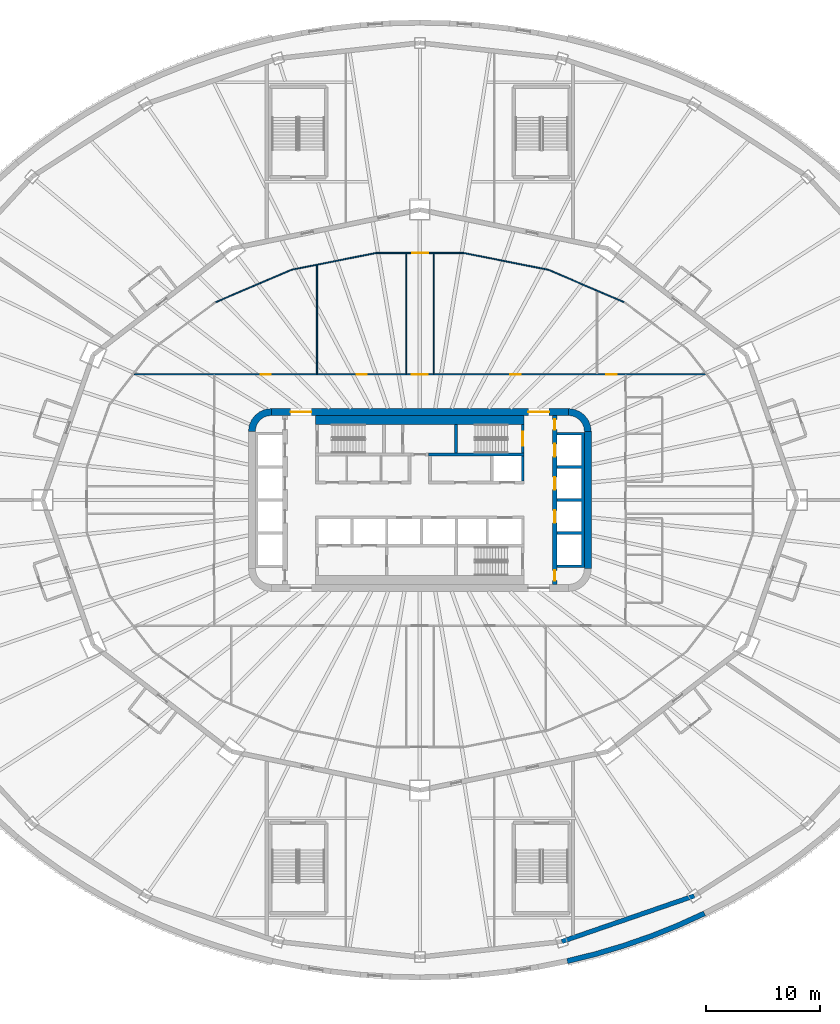
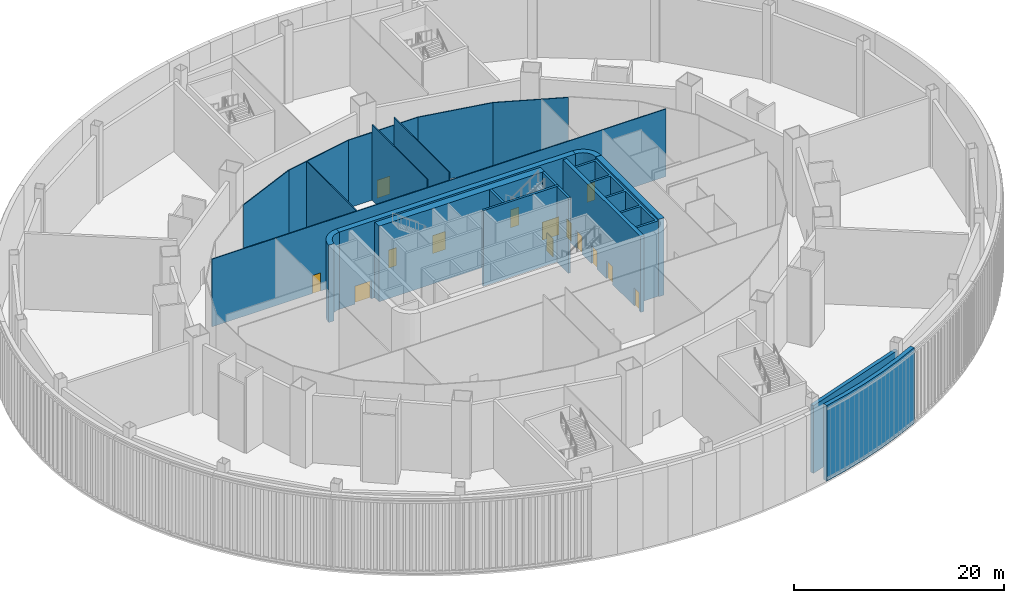
# One storey, part 10 of 35: 22 walls, 14 doors, 14 openings.
"""IFC4 building model written with IfcOpenShell, lengths in metres."""

from ifc_helpers import new_model, si_unit, direction, frame, frame_2d, origin, place, context, subcontext, project, spatial, polyline, rectangle, outline, extrude, material, layer, layer_set, type_object, element, fill, save


model = new_model("IFC4")

# Units and contexts
model_context = context("Model", 3, precision=1e-05, world=origin(), true_north=direction((0.0, 1.0)))
body_context = subcontext(model_context, "Body", "Model", "MODEL_VIEW")
ifc_project = project(units=[si_unit("LENGTHUNIT", "METRE"), si_unit("AREAUNIT", "SQUARE_METRE"), si_unit("VOLUMEUNIT", "CUBIC_METRE"), si_unit("PLANEANGLEUNIT", "RADIAN"), si_unit("MASSUNIT", "GRAM", prefix="KILO")], contexts=[model_context])

# Site, building, storey
site_placement = place(None, origin())
site = spatial("IfcSite", under=ifc_project, at=site_placement, CompositionType="ELEMENT")
building_placement = place(site_placement, origin())
building = spatial("IfcBuilding", under=site, at=building_placement, Name="Sahrelin Media Tower", CompositionType="ELEMENT")
storey_placement = place(building_placement, frame((0.0, 0.0, 17.0)))
storey = spatial("IfcBuildingStorey", under=building, at=storey_placement, Name="L02", CompositionType="ELEMENT", Elevation=17.0)

# Wall, openings, doors
ifc_material_1 = material(Name="Concrete C60/75", Category="concrete")
ifc_layer_1 = layer(ifc_material_1, 0.60009765625)
ifc_layer_set_1 = layer_set([ifc_layer_1], Name="Core wall 600")
wall_type_1 = type_object("IfcWallType", Name="Core wall 600", PredefinedType="SHEAR", material=ifc_layer_set_1)
wall_1_placement = place(storey_placement, frame((-13.0, 7.699951171875, 0.0), z_axis=(0.0, 0.0, 1.0), x_axis=(1.0, 0.0, 0.0)))
wall_1 = element("IfcWall", 1, at=wall_1_placement, inside=storey, type_object=wall_type_1, Name="Core wall N L02", PredefinedType="SHEAR", context=body_context, shape_type="SweptSolid", body=[
    extrude(rectangle(XDim=26.0, YDim=0.60009765625, at=frame_2d((13.0, 0.0))), origin(), (0.0, 0.0, 1.0), 9.0),
])
opening_1_placement = place(wall_1_placement, frame((1.699951171875, 0.0, 0.0)))
opening_1 = element("IfcOpeningElement", 2, at=opening_1_placement, cuts=wall_1, Name="Opening L02-D16", PredefinedType="OPENING", context=body_context, shape_type="SweptSolid", body=[
    extrude(rectangle(XDim=1.800048828125, YDim=2.10009765625, at=frame_2d((0.89990234375, 1.050048828125))), frame((0.0, 0.300048828125, 0.0), z_axis=(0.0, -1.0, 0.0), x_axis=(1.0, 0.0, 0.0)), (0.0, 0.0, 1.0), 0.60009765625),
])
opening_2_placement = place(wall_1_placement, frame((22.5, 0.0, 0.0)))
opening_2 = element("IfcOpeningElement", 3, at=opening_2_placement, cuts=wall_1, Name="Opening L02-D17", PredefinedType="OPENING", context=body_context, shape_type="SweptSolid", body=[
    extrude(rectangle(XDim=1.800048828125, YDim=2.10009765625, at=frame_2d((0.89990234375, 1.050048828125))), frame((0.0, 0.300048828125, 0.0), z_axis=(0.0, -1.0, 0.0), x_axis=(1.0, 0.0, 0.0)), (0.0, 0.0, 1.0), 0.60009765625),
])
ifc_material_2 = material(Name="Steel fire door leaf", Category="steel")
door_type_1 = type_object("IfcDoorType", Name="Lobby double door 1800 x 2100 EI 60", OperationType="DOUBLE_DOOR_SINGLE_SWING", PredefinedType="DOOR", material=ifc_material_2)
door_1_placement = place(opening_1_placement, origin())
door_1 = element("IfcDoor", 4, at=door_1_placement, inside=storey, type_object=door_type_1, Name="Lobby door", OperationType="DOUBLE_DOOR_SINGLE_SWING", OverallHeight=2.10009765625, OverallWidth=1.800048828125, PredefinedType="DOOR", context=body_context, shape_type="SweptSolid", body=[
    extrude(rectangle(XDim=1.800048828125, YDim=2.10009765625, at=frame_2d((0.89990234375, 1.050048828125))), frame((0.0, 0.02490234375, 0.0), z_axis=(0.0, -1.0, 0.0), x_axis=(1.0, 0.0, 0.0)), (0.0, 0.0, 1.0), 0.050048828125),
])
fill(opening_1, door_1)
door_2_placement = place(opening_2_placement, origin())
door_2 = element("IfcDoor", 5, at=door_2_placement, inside=storey, type_object=door_type_1, Name="Lobby door", OperationType="DOUBLE_DOOR_SINGLE_SWING", OverallHeight=2.10009765625, OverallWidth=1.800048828125, PredefinedType="DOOR", context=body_context, shape_type="SweptSolid", body=[
    extrude(rectangle(XDim=1.800048828125, YDim=2.10009765625, at=frame_2d((0.89990234375, 1.050048828125))), frame((0.0, 0.02490234375, 0.0), z_axis=(0.0, -1.0, 0.0), x_axis=(1.0, 0.0, 0.0)), (0.0, 0.0, 1.0), 0.050048828125),
])
fill(opening_2, door_2)

# Walls
wall_2_placement = place(storey_placement, frame((14.699951171875, -6.0, 0.0), z_axis=(0.0, 0.0, 1.0), x_axis=(0.0, 1.0, 0.0)))
element("IfcWall", 6, at=wall_2_placement, inside=storey, type_object=wall_type_1, Name="Core wall E L02", PredefinedType="SHEAR", context=body_context, shape_type="SweptSolid", body=[
    extrude(rectangle(XDim=12.0, YDim=0.60009765625, at=frame_2d((6.0, 0.0))), origin(), (0.0, 0.0, 1.0), 9.0),
])
placement = place(storey_placement, origin())
element("IfcWall", 7, at=placement, inside=storey, type_object=wall_type_1, Name="Core wall corner NE L02", PredefinedType="SHEAR", context=body_context, shape_type="SweptSolid", body=[
    extrude(outline(polyline([(13.0, 8.0), (13.0, 7.394775390625), (13.361083984375, 7.347412109375), (13.697509765625, 7.2080078125), (13.986328125, 6.986328125), (14.2080078125, 6.697509765625), (14.347412109375, 6.361083984375), (14.394775390625, 6.0), (15.0, 6.0), (14.931884765625, 6.517578125), (14.732177734375, 7.0), (14.414306640625, 7.414306640625), (14.0, 7.732177734375), (13.517578125, 7.931884765625), (13.0, 8.0)])), origin(), (0.0, 0.0, 1.0), 9.0),
])
element("IfcWall", 8, at=placement, inside=storey, type_object=wall_type_1, Name="Core wall corner NW L02", PredefinedType="SHEAR", context=body_context, shape_type="SweptSolid", body=[
    extrude(outline(polyline([(-15.0, 6.0), (-14.394775390625, 6.0), (-14.347412109375, 6.361083984375), (-14.2080078125, 6.697509765625), (-13.986328125, 6.986328125), (-13.697509765625, 7.2080078125), (-13.361083984375, 7.347412109375), (-13.0, 7.394775390625), (-13.0, 8.0), (-13.517578125, 7.931884765625), (-14.0, 7.732177734375), (-14.414306640625, 7.414306640625), (-14.732177734375, 7.0), (-14.931884765625, 6.517578125), (-15.0, 6.0)])), origin(), (0.0, 0.0, 1.0), 9.0),
])
ifc_material_3 = material(Name="Fire-rated gypsum board partition")
ifc_layer_2 = layer(ifc_material_3, 0.25)
ifc_layer_set_2 = layer_set([ifc_layer_2], Name="Fire-rated lobby wall 250")
wall_type_2 = type_object("IfcWallType", Name="Fire-rated lobby wall 250", PredefinedType="PARTITIONING", material=ifc_layer_set_2)
wall_5_placement = place(storey_placement, frame((9.0, 1.64990234375, 0.0), z_axis=(0.0, 0.0, 1.0), x_axis=(0.0, 1.0, 0.0)))
element("IfcWall", 9, at=wall_5_placement, inside=storey, type_object=wall_type_2, Name="Core lobby wall", PredefinedType="PARTITIONING", context=body_context, shape_type="SweptSolid", body=[
    extrude(rectangle(XDim=2.2001953125, YDim=0.25, at=frame_2d((1.10009765625, 0.0))), origin(), (0.0, 0.0, 1.0), 8.800048828125),
])
ifc_layer_3 = layer(ifc_material_3, 0.39990234375)
ifc_layer_set_3 = layer_set([ifc_layer_3], Name="Fire-rated partition 400")
wall_type_3 = type_object("IfcWallType", Name="Fire-rated partition 400", PredefinedType="PARTITIONING", material=ifc_layer_set_3)
wall_6_placement = place(storey_placement, frame((12.42333984375, -38.636962890625, 0.0), z_axis=(0.0, 0.0, 1.0), x_axis=(0.94527485301, 0.326275117449, 0.0)))
element("IfcWall", 10, at=wall_6_placement, inside=storey, type_object=wall_type_3, Name="Wall", PredefinedType="PARTITIONING", context=body_context, shape_type="SweptSolid", body=[
    extrude(rectangle(XDim=12.246826171875, YDim=0.39990234375, at=frame_2d((6.12353515625, 0.0))), origin(), (0.0, 0.0, 1.0), 7.876953125),
])
ifc_layer_4 = layer(ifc_material_1, 0.25)
ifc_layer_set_4 = layer_set([ifc_layer_4], Name="Lift shaft wall 250")
wall_type_4 = type_object("IfcWallType", Name="Lift shaft wall 250", PredefinedType="SOLIDWALL", material=ifc_layer_set_4)
element("IfcWall", 11, at=placement, inside=storey, type_object=wall_type_4, Name="Lift shaft wall", PredefinedType="SOLIDWALL", context=body_context, shape_type="SweptSolid", body=[
    extrude(outline(polyline([(12.0, -5.675048828125), (12.0, -5.925048828125), (14.14990234375, -5.925048828125), (14.39990234375, -5.925048828125), (14.39990234375, -5.675048828125), (14.39990234375, -3.02490234375), (14.39990234375, -2.77490234375), (14.39990234375, -0.125), (14.39990234375, 0.125), (14.39990234375, 2.77490234375), (14.39990234375, 3.02490234375), (14.39990234375, 5.675048828125), (14.39990234375, 5.925048828125), (14.14990234375, 5.925048828125), (12.0, 5.925048828125), (12.0, 5.675048828125), (14.14990234375, 5.675048828125), (14.14990234375, 3.02490234375), (12.0, 3.02490234375), (12.0, 2.77490234375), (14.14990234375, 2.77490234375), (14.14990234375, 0.125), (12.0, 0.125), (12.0, -0.125), (14.14990234375, -0.125), (14.14990234375, -2.77490234375), (12.0, -2.77490234375), (12.0, -3.02490234375), (14.14990234375, -3.02490234375), (14.14990234375, -5.675048828125), (12.0, -5.675048828125)])), origin(), (0.0, 0.0, 1.0), 8.800048828125),
])

# Wall, openings, doors
ifc_layer_5 = layer(ifc_material_1, 0.39990234375)
ifc_layer_set_5 = layer_set([ifc_layer_5], Name="Lift shaft wall 400")
wall_type_5 = type_object("IfcWallType", Name="Lift shaft wall 400", PredefinedType="SOLIDWALL", material=ifc_layer_set_5)
wall_8_placement = place(storey_placement, frame((11.800048828125, -7.39990234375, 0.0), z_axis=(0.0, 0.0, 1.0), x_axis=(0.0, 1.0, 0.0)))
wall_8 = element("IfcWall", 12, at=wall_8_placement, inside=storey, type_object=wall_type_5, Name="Lift shaft wall", PredefinedType="SOLIDWALL", context=body_context, shape_type="SweptSolid", body=[
    extrude(rectangle(XDim=14.7998046875, YDim=0.39990234375, at=frame_2d((7.39990234375, 0.0))), origin(), (0.0, 0.0, 1.0), 8.800048828125),
])
opening_3_placement = place(wall_8_placement, frame((11.199951171875, 0.0, 0.0)))
opening_3 = element("IfcOpeningElement", 13, at=opening_3_placement, cuts=wall_8, Name="Opening L02-LD-LR4", PredefinedType="OPENING", context=body_context, shape_type="SweptSolid", body=[
    extrude(rectangle(XDim=1.10009765625, YDim=2.10009765625, at=frame_2d((0.550048828125, 1.050048828125))), frame((0.0, 0.199951171875, 0.0), z_axis=(0.0, -1.0, 0.0), x_axis=(1.0, 0.0, 0.0)), (0.0, 0.0, 1.0), 0.39990234375),
])
opening_4_placement = place(wall_8_placement, frame((8.300048828125, 0.0, 0.0)))
opening_4 = element("IfcOpeningElement", 14, at=opening_4_placement, cuts=wall_8, Name="Opening L02-LD-LR5", PredefinedType="OPENING", context=body_context, shape_type="SweptSolid", body=[
    extrude(rectangle(XDim=1.10009765625, YDim=2.10009765625, at=frame_2d((0.550048828125, 1.050048828125))), frame((0.0, 0.199951171875, 0.0), z_axis=(0.0, -1.0, 0.0), x_axis=(1.0, 0.0, 0.0)), (0.0, 0.0, 1.0), 0.39990234375),
])
opening_5_placement = place(wall_8_placement, frame((5.39990234375, 0.0, 0.0)))
opening_5 = element("IfcOpeningElement", 15, at=opening_5_placement, cuts=wall_8, Name="Opening L02-LD-LR6", PredefinedType="OPENING", context=body_context, shape_type="SweptSolid", body=[
    extrude(rectangle(XDim=1.10009765625, YDim=2.10009765625, at=frame_2d((0.550048828125, 1.050048828125))), frame((0.0, 0.199951171875, 0.0), z_axis=(0.0, -1.0, 0.0), x_axis=(1.0, 0.0, 0.0)), (0.0, 0.0, 1.0), 0.39990234375),
])
opening_6_placement = place(wall_8_placement, frame((13.552490234375, 0.0, 0.0)))
opening_6 = element("IfcOpeningElement", 16, at=opening_6_placement, cuts=wall_8, Name="Opening L02-D14", PredefinedType="OPENING", context=body_context, shape_type="SweptSolid", body=[
    extrude(rectangle(XDim=0.89990234375, YDim=2.10009765625, at=frame_2d((0.449951171875, 1.050048828125))), frame((0.0, 0.199951171875, 0.0), z_axis=(0.0, -1.0, 0.0), x_axis=(1.0, 0.0, 0.0)), (0.0, 0.0, 1.0), 0.39990234375),
])
opening_7_placement = place(wall_8_placement, frame((0.347412109375, 0.0, 0.0)))
opening_7 = element("IfcOpeningElement", 17, at=opening_7_placement, cuts=wall_8, Name="Opening L02-D15", PredefinedType="OPENING", context=body_context, shape_type="SweptSolid", body=[
    extrude(rectangle(XDim=0.89990234375, YDim=2.10009765625, at=frame_2d((0.449951171875, 1.050048828125))), frame((0.0, 0.199951171875, 0.0), z_axis=(0.0, -1.0, 0.0), x_axis=(1.0, 0.0, 0.0)), (0.0, 0.0, 1.0), 0.39990234375),
])
ifc_material_4 = material(Name="Stainless steel", Category="steel")
door_type_2 = type_object("IfcDoorType", Name="Lift landing door 1100 x 2100 EI 120", OperationType="DOUBLE_DOOR_SLIDING", PredefinedType="DOOR", material=ifc_material_4)
door_3_placement = place(opening_3_placement, origin())
door_3 = element("IfcDoor", 18, at=door_3_placement, inside=storey, type_object=door_type_2, Name="Lift landing door LR4", OperationType="DOUBLE_DOOR_SLIDING", OverallHeight=2.10009765625, OverallWidth=1.10009765625, PredefinedType="DOOR", context=body_context, shape_type="SweptSolid", body=[
    extrude(rectangle(XDim=1.10009765625, YDim=2.10009765625, at=frame_2d((0.550048828125, 1.050048828125))), frame((0.0, 0.02490234375, 0.0), z_axis=(0.0, -1.0, 0.0), x_axis=(1.0, 0.0, 0.0)), (0.0, 0.0, 1.0), 0.050048828125),
])
fill(opening_3, door_3)
door_4_placement = place(opening_4_placement, origin())
door_4 = element("IfcDoor", 19, at=door_4_placement, inside=storey, type_object=door_type_2, Name="Lift landing door LR5", OperationType="DOUBLE_DOOR_SLIDING", OverallHeight=2.10009765625, OverallWidth=1.10009765625, PredefinedType="DOOR", context=body_context, shape_type="SweptSolid", body=[
    extrude(rectangle(XDim=1.10009765625, YDim=2.10009765625, at=frame_2d((0.550048828125, 1.050048828125))), frame((0.0, 0.02490234375, 0.0), z_axis=(0.0, -1.0, 0.0), x_axis=(1.0, 0.0, 0.0)), (0.0, 0.0, 1.0), 0.050048828125),
])
fill(opening_4, door_4)
door_5_placement = place(opening_5_placement, origin())
door_5 = element("IfcDoor", 20, at=door_5_placement, inside=storey, type_object=door_type_2, Name="Lift landing door LR6", OperationType="DOUBLE_DOOR_SLIDING", OverallHeight=2.10009765625, OverallWidth=1.10009765625, PredefinedType="DOOR", context=body_context, shape_type="SweptSolid", body=[
    extrude(rectangle(XDim=1.10009765625, YDim=2.10009765625, at=frame_2d((0.550048828125, 1.050048828125))), frame((0.0, 0.02490234375, 0.0), z_axis=(0.0, -1.0, 0.0), x_axis=(1.0, 0.0, 0.0)), (0.0, 0.0, 1.0), 0.050048828125),
])
fill(opening_5, door_5)
door_type_3 = type_object("IfcDoorType", Name="Riser door 900 x 2100 EI 120", OperationType="NOTDEFINED", PredefinedType="DOOR", material=ifc_material_2)
door_6_placement = place(opening_6_placement, origin())
door_6 = element("IfcDoor", 21, at=door_6_placement, inside=storey, type_object=door_type_3, Name="Riser door", OperationType="SINGLE_SWING_RIGHT", OverallHeight=2.10009765625, OverallWidth=0.89990234375, PredefinedType="DOOR", context=body_context, shape_type="SweptSolid", body=[
    extrude(rectangle(XDim=0.89990234375, YDim=2.10009765625, at=frame_2d((0.449951171875, 1.050048828125))), frame((0.0, 0.02490234375, 0.0), z_axis=(0.0, -1.0, 0.0), x_axis=(1.0, 0.0, 0.0)), (0.0, 0.0, 1.0), 0.050048828125),
])
fill(opening_6, door_6)
door_7_placement = place(opening_7_placement, origin())
door_7 = element("IfcDoor", 22, at=door_7_placement, inside=storey, type_object=door_type_3, Name="Riser door", OperationType="SINGLE_SWING_RIGHT", OverallHeight=2.10009765625, OverallWidth=0.89990234375, PredefinedType="DOOR", context=body_context, shape_type="SweptSolid", body=[
    extrude(rectangle(XDim=0.89990234375, YDim=2.10009765625, at=frame_2d((0.449951171875, 1.050048828125))), frame((0.0, 0.02490234375, 0.0), z_axis=(0.0, -1.0, 0.0), x_axis=(1.0, 0.0, 0.0)), (0.0, 0.0, 1.0), 0.050048828125),
])
fill(opening_7, door_7)

# Walls
ifc_material_5 = material(Name="Gypsum board partition")
ifc_layer_6 = layer(ifc_material_5, 0.10009765625)
ifc_layer_set_6 = layer_set([ifc_layer_6], Name="Partition 100")
wall_type_6 = type_object("IfcWallType", Name="Partition 100", PredefinedType="PARTITIONING", material=ifc_layer_set_6)
wall_9_placement = place(storey_placement, frame((17.897705078125, 17.295166015625, 0.0), z_axis=(0.0, 0.0, 1.0), x_axis=(-0.919302147288, 0.3935524895, 0.0)))
element("IfcWall", 23, at=wall_9_placement, inside=storey, type_object=wall_type_6, Name="Wall", PredefinedType="PARTITIONING", context=body_context, shape_type="SweptSolid", body=[
    extrude(rectangle(XDim=7.230224609375, YDim=0.10009765625, at=frame_2d((3.615234375, 0.0))), origin(), (0.0, 0.0, 1.0), 7.876953125),
])
wall_10_placement = place(storey_placement, frame((11.2509765625, 20.140625, 0.0), z_axis=(0.0, 0.0, 1.0), x_axis=(-0.980829586671, 0.194867447026, 0.0)))
element("IfcWall", 24, at=wall_10_placement, inside=storey, type_object=wall_type_6, Name="Wall", PredefinedType="PARTITIONING", context=body_context, shape_type="SweptSolid", body=[
    extrude(rectangle(XDim=7.55859375, YDim=0.10009765625, at=frame_2d((3.779296875, 0.0))), origin(), (0.0, 0.0, 1.0), 7.876953125),
])

# Wall, opening, door
wall_11_placement = place(storey_placement, frame((3.83740234375, 21.613525390625, 0.0), z_axis=(0.0, 0.0, 1.0), x_axis=(-1.0, 0.0, 0.0)))
wall_11 = element("IfcWall", 25, at=wall_11_placement, inside=storey, type_object=wall_type_6, Name="Wall", PredefinedType="PARTITIONING", context=body_context, shape_type="SweptSolid", body=[
    extrude(rectangle(XDim=7.6748046875, YDim=0.10009765625, at=frame_2d((3.83740234375, 0.0))), origin(), (0.0, 0.0, 1.0), 7.876953125),
])
opening_8_placement = place(wall_11_placement, frame((3.10009765625, 0.0, 0.0)))
opening_8 = element("IfcOpeningElement", 26, at=opening_8_placement, cuts=wall_11, Name="Opening L02-D37", PredefinedType="OPENING", context=body_context, shape_type="SweptSolid", body=[
    extrude(rectangle(XDim=1.39990234375, YDim=2.10009765625, at=frame_2d((0.699951171875, 1.050048828125))), frame((0.0, 0.050048828125, 0.0), z_axis=(0.0, -1.0, 0.0), x_axis=(1.0, 0.0, 0.0)), (0.0, 0.0, 1.0), 0.10009765625),
])
ifc_material_6 = material(Name="Timber door leaf", Category="wood")
door_type_4 = type_object("IfcDoorType", Name="Single door 1400 x 2100", OperationType="NOTDEFINED", PredefinedType="DOOR", material=ifc_material_6)
door_8_placement = place(opening_8_placement, origin())
door_8 = element("IfcDoor", 27, at=door_8_placement, inside=storey, type_object=door_type_4, Name="Single door", OperationType="SINGLE_SWING_LEFT", OverallHeight=2.10009765625, OverallWidth=1.39990234375, PredefinedType="DOOR", context=body_context, shape_type="SweptSolid", body=[
    extrude(rectangle(XDim=1.39990234375, YDim=2.10009765625, at=frame_2d((0.699951171875, 1.050048828125))), frame((0.0, 0.02490234375, 0.0), z_axis=(0.0, -1.0, 0.0), x_axis=(1.0, 0.0, 0.0)), (0.0, 0.0, 1.0), 0.050048828125),
])
fill(opening_8, door_8)

# Walls
wall_12_placement = place(storey_placement, frame((-3.83740234375, 21.613525390625, 0.0), z_axis=(0.0, 0.0, 1.0), x_axis=(-0.980829586671, -0.194867447026, 0.0)))
element("IfcWall", 28, at=wall_12_placement, inside=storey, type_object=wall_type_6, Name="Wall", PredefinedType="PARTITIONING", context=body_context, shape_type="SweptSolid", body=[
    extrude(rectangle(XDim=7.55859375, YDim=0.10009765625, at=frame_2d((3.779296875, 0.0))), origin(), (0.0, 0.0, 1.0), 7.876953125),
])
wall_13_placement = place(storey_placement, frame((-11.2509765625, 20.140625, 0.0), z_axis=(0.0, 0.0, 1.0), x_axis=(-0.919302147288, -0.3935524895, 0.0)))
element("IfcWall", 29, at=wall_13_placement, inside=storey, type_object=wall_type_6, Name="Wall", PredefinedType="PARTITIONING", context=body_context, shape_type="SweptSolid", body=[
    extrude(rectangle(XDim=7.230224609375, YDim=0.10009765625, at=frame_2d((3.615234375, 0.0))), origin(), (0.0, 0.0, 1.0), 7.876953125),
])

# Wall, openings, doors
wall_14_placement = place(storey_placement, frame((-24.990478515625, 11.0, 0.0), z_axis=(0.0, 0.0, 1.0), x_axis=(1.0, 0.0, 0.0)))
wall_14 = element("IfcWall", 30, at=wall_14_placement, inside=storey, type_object=wall_type_6, Name="Wall", PredefinedType="PARTITIONING", context=body_context, shape_type="SweptSolid", body=[
    extrude(rectangle(XDim=49.98095703125, YDim=0.10009765625, at=frame_2d((24.990478515625, 0.0))), origin(), (0.0, 0.0, 1.0), 7.876953125),
])
opening_9_placement = place(wall_14_placement, frame((11.050048828125, 0.0, 0.0)))
opening_9 = element("IfcOpeningElement", 31, at=opening_9_placement, cuts=wall_14, Name="Opening L02-D34", PredefinedType="OPENING", context=body_context, shape_type="SweptSolid", body=[
    extrude(rectangle(XDim=0.89990234375, YDim=2.10009765625, at=frame_2d((0.449951171875, 1.050048828125))), frame((0.0, 0.050048828125, 0.0), z_axis=(0.0, -1.0, 0.0), x_axis=(1.0, 0.0, 0.0)), (0.0, 0.0, 1.0), 0.10009765625),
])
opening_10_placement = place(wall_14_placement, frame((19.449951171875, 0.0, 0.0)))
opening_10 = element("IfcOpeningElement", 32, at=opening_10_placement, cuts=wall_14, Name="Opening L02-D35", PredefinedType="OPENING", context=body_context, shape_type="SweptSolid", body=[
    extrude(rectangle(XDim=0.89990234375, YDim=2.10009765625, at=frame_2d((0.449951171875, 1.050048828125))), frame((0.0, 0.050048828125, 0.0), z_axis=(0.0, -1.0, 0.0), x_axis=(1.0, 0.0, 0.0)), (0.0, 0.0, 1.0), 0.10009765625),
])
opening_11_placement = place(wall_14_placement, frame((24.300048828125, 0.0, 0.0)))
opening_11 = element("IfcOpeningElement", 33, at=opening_11_placement, cuts=wall_14, Name="Opening L02-D36", PredefinedType="OPENING", context=body_context, shape_type="SweptSolid", body=[
    extrude(rectangle(XDim=1.39990234375, YDim=2.10009765625, at=frame_2d((0.699951171875, 1.050048828125))), frame((0.0, 0.050048828125, 0.0), z_axis=(0.0, -1.0, 0.0), x_axis=(1.0, 0.0, 0.0)), (0.0, 0.0, 1.0), 0.10009765625),
])
opening_12_placement = place(wall_14_placement, frame((32.89990234375, 0.0, 0.0)))
opening_12 = element("IfcOpeningElement", 34, at=opening_12_placement, cuts=wall_14, Name="Opening L02-D38", PredefinedType="OPENING", context=body_context, shape_type="SweptSolid", body=[
    extrude(rectangle(XDim=0.89990234375, YDim=2.10009765625, at=frame_2d((0.449951171875, 1.050048828125))), frame((0.0, 0.050048828125, 0.0), z_axis=(0.0, -1.0, 0.0), x_axis=(1.0, 0.0, 0.0)), (0.0, 0.0, 1.0), 0.10009765625),
])
opening_13_placement = place(wall_14_placement, frame((41.300048828125, 0.0, 0.0)))
opening_13 = element("IfcOpeningElement", 35, at=opening_13_placement, cuts=wall_14, Name="Opening L02-D39", PredefinedType="OPENING", context=body_context, shape_type="SweptSolid", body=[
    extrude(rectangle(XDim=0.89990234375, YDim=2.10009765625, at=frame_2d((0.449951171875, 1.050048828125))), frame((0.0, 0.050048828125, 0.0), z_axis=(0.0, -1.0, 0.0), x_axis=(1.0, 0.0, 0.0)), (0.0, 0.0, 1.0), 0.10009765625),
])
door_9_placement = place(opening_11_placement, origin())
door_9 = element("IfcDoor", 36, at=door_9_placement, inside=storey, type_object=door_type_4, Name="Single door", OperationType="SINGLE_SWING_RIGHT", OverallHeight=2.10009765625, OverallWidth=1.39990234375, PredefinedType="DOOR", context=body_context, shape_type="SweptSolid", body=[
    extrude(rectangle(XDim=1.39990234375, YDim=2.10009765625, at=frame_2d((0.699951171875, 1.050048828125))), frame((0.0, 0.02490234375, 0.0), z_axis=(0.0, -1.0, 0.0), x_axis=(1.0, 0.0, 0.0)), (0.0, 0.0, 1.0), 0.050048828125),
])
fill(opening_11, door_9)
door_type_5 = type_object("IfcDoorType", Name="Single door 900 x 2100", OperationType="NOTDEFINED", PredefinedType="DOOR", material=ifc_material_6)
door_10_placement = place(opening_9_placement, origin())
door_10 = element("IfcDoor", 37, at=door_10_placement, inside=storey, type_object=door_type_5, Name="Single door", OperationType="SINGLE_SWING_LEFT", OverallHeight=2.10009765625, OverallWidth=0.89990234375, PredefinedType="DOOR", context=body_context, shape_type="SweptSolid", body=[
    extrude(rectangle(XDim=0.89990234375, YDim=2.10009765625, at=frame_2d((0.449951171875, 1.050048828125))), frame((0.0, 0.02490234375, 0.0), z_axis=(0.0, -1.0, 0.0), x_axis=(1.0, 0.0, 0.0)), (0.0, 0.0, 1.0), 0.050048828125),
])
fill(opening_9, door_10)
door_11_placement = place(opening_10_placement, origin())
door_11 = element("IfcDoor", 38, at=door_11_placement, inside=storey, type_object=door_type_5, Name="Single door", OperationType="SINGLE_SWING_LEFT", OverallHeight=2.10009765625, OverallWidth=0.89990234375, PredefinedType="DOOR", context=body_context, shape_type="SweptSolid", body=[
    extrude(rectangle(XDim=0.89990234375, YDim=2.10009765625, at=frame_2d((0.449951171875, 1.050048828125))), frame((0.0, 0.02490234375, 0.0), z_axis=(0.0, -1.0, 0.0), x_axis=(1.0, 0.0, 0.0)), (0.0, 0.0, 1.0), 0.050048828125),
])
fill(opening_10, door_11)
door_12_placement = place(opening_12_placement, origin())
door_12 = element("IfcDoor", 39, at=door_12_placement, inside=storey, type_object=door_type_5, Name="Single door", OperationType="SINGLE_SWING_RIGHT", OverallHeight=2.10009765625, OverallWidth=0.89990234375, PredefinedType="DOOR", context=body_context, shape_type="SweptSolid", body=[
    extrude(rectangle(XDim=0.89990234375, YDim=2.10009765625, at=frame_2d((0.449951171875, 1.050048828125))), frame((0.0, 0.02490234375, 0.0), z_axis=(0.0, -1.0, 0.0), x_axis=(1.0, 0.0, 0.0)), (0.0, 0.0, 1.0), 0.050048828125),
])
fill(opening_12, door_12)
door_13_placement = place(opening_13_placement, origin())
door_13 = element("IfcDoor", 40, at=door_13_placement, inside=storey, type_object=door_type_5, Name="Single door", OperationType="SINGLE_SWING_RIGHT", OverallHeight=2.10009765625, OverallWidth=0.89990234375, PredefinedType="DOOR", context=body_context, shape_type="SweptSolid", body=[
    extrude(rectangle(XDim=0.89990234375, YDim=2.10009765625, at=frame_2d((0.449951171875, 1.050048828125))), frame((0.0, 0.02490234375, 0.0), z_axis=(0.0, -1.0, 0.0), x_axis=(1.0, 0.0, 0.0)), (0.0, 0.0, 1.0), 0.050048828125),
])
fill(opening_13, door_13)

# Walls
wall_15_placement = place(storey_placement, frame((-9.0, 11.050048828125, 0.0), z_axis=(0.0, 0.0, 1.0), x_axis=(0.0, 1.0, 0.0)))
element("IfcWall", 41, at=wall_15_placement, inside=storey, type_object=wall_type_6, Name="Wall", PredefinedType="PARTITIONING", context=body_context, shape_type="SweptSolid", body=[
    extrude(rectangle(XDim=9.476806640625, YDim=0.10009765625, at=frame_2d((4.73828125, 0.0))), origin(), (0.0, 0.0, 1.0), 7.876953125),
])
for number, where, z_axis, x_axis, name in (
    (42, (-1.199951171875, 11.050048828125, 0.0), (0.0, 0.0, 1.0), (0.0, 1.0, 0.0), "Wall"),
    (43, (1.199951171875, 11.050048828125, 0.0), (0.0, 0.0, 1.0), (0.0, 1.0, 0.0), "Wall"),
):
    element("IfcWall", number, at=place(storey_placement, frame(where, z_axis=z_axis, x_axis=x_axis)), inside=storey, type_object=wall_type_6, Name=name, PredefinedType="PARTITIONING", context=body_context, shape_type="SweptSolid", body=[
        extrude(rectangle(XDim=10.513427734375, YDim=0.10009765625, at=frame_2d((5.2568359375, 0.0))), origin(), (0.0, 0.0, 1.0), 8.800048828125),
    ])

# Wall, opening, door
ifc_layer_7 = layer(ifc_material_1, 0.25)
ifc_layer_set_7 = layer_set([ifc_layer_7], Name="Stair enclosure wall 250")
wall_type_7 = type_object("IfcWallType", Name="Stair enclosure wall 250", PredefinedType="SOLIDWALL", material=ifc_layer_set_7)
wall_16_placement = place(storey_placement, frame((9.0, 4.10009765625, 0.0), z_axis=(0.0, 0.0, 1.0), x_axis=(0.0, 1.0, 0.0)))
wall_16 = element("IfcWall", 44, at=wall_16_placement, inside=storey, type_object=wall_type_7, Name="Stair enclosure wall", PredefinedType="SOLIDWALL", context=body_context, shape_type="SweptSolid", body=[
    extrude(rectangle(XDim=2.5, YDim=0.25, at=frame_2d((1.25, 0.0))), origin(), (0.0, 0.0, 1.0), 8.800048828125),
])
opening_14_placement = place(wall_16_placement, frame((0.64990234375, 0.0, 0.0)))
opening_14 = element("IfcOpeningElement", 45, at=opening_14_placement, cuts=wall_16, Name="Opening L02-D02", PredefinedType="OPENING", context=body_context, shape_type="SweptSolid", body=[
    extrude(rectangle(XDim=1.199951171875, YDim=2.10009765625, at=frame_2d((0.60009765625, 1.050048828125))), frame((0.0, 0.125, 0.0), z_axis=(0.0, -1.0, 0.0), x_axis=(1.0, 0.0, 0.0)), (0.0, 0.0, 1.0), 0.25),
])
door_type_6 = type_object("IfcDoorType", Name="Stair door 1200 x 2100 EI 120", OperationType="NOTDEFINED", PredefinedType="DOOR", material=ifc_material_2)
door_14_placement = place(opening_14_placement, origin())
door_14 = element("IfcDoor", 46, at=door_14_placement, inside=storey, type_object=door_type_6, Name="Stair door ST3", OperationType="SINGLE_SWING_LEFT", OverallHeight=2.10009765625, OverallWidth=1.199951171875, PredefinedType="DOOR", context=body_context, shape_type="SweptSolid", body=[
    extrude(rectangle(XDim=1.199951171875, YDim=2.10009765625, at=frame_2d((0.60009765625, 1.050048828125))), frame((0.0, 0.02490234375, 0.0), z_axis=(0.0, -1.0, 0.0), x_axis=(1.0, 0.0, 0.0)), (0.0, 0.0, 1.0), 0.050048828125),
])
fill(opening_14, door_14)

# Walls
wall_17_placement = place(storey_placement, frame((3.14990234375, 4.10009765625, 0.0), z_axis=(0.0, 0.0, 1.0), x_axis=(0.0, 1.0, 0.0)))
element("IfcWall", 47, at=wall_17_placement, inside=storey, type_object=wall_type_7, Name="Stair enclosure wall", PredefinedType="SOLIDWALL", context=body_context, shape_type="SweptSolid", body=[
    extrude(rectangle(XDim=2.5, YDim=0.25, at=frame_2d((1.25, 0.0))), origin(), (0.0, 0.0, 1.0), 8.800048828125),
])
wall_18_placement = place(storey_placement, frame((0.77490234375, 3.97509765625, 0.0), z_axis=(0.0, 0.0, 1.0), x_axis=(1.0, 0.0, 0.0)))
element("IfcWall", 48, at=wall_18_placement, inside=storey, type_object=wall_type_7, Name="Stair enclosure wall", PredefinedType="SOLIDWALL", context=body_context, shape_type="SweptSolid", body=[
    extrude(rectangle(XDim=8.35009765625, YDim=0.25, at=frame_2d((4.175048828125, 0.0))), origin(), (0.0, 0.0, 1.0), 8.800048828125),
])
ifc_layer_8 = layer(ifc_material_1, 0.800048828125)
ifc_layer_set_8 = layer_set([ifc_layer_8], Name="Stair enclosure wall 800")
wall_type_8 = type_object("IfcWallType", Name="Stair enclosure wall 800", PredefinedType="SOLIDWALL", material=ifc_layer_set_8)
wall_19_placement = place(storey_placement, frame((-9.125, 7.0, 0.0), z_axis=(0.0, 0.0, 1.0), x_axis=(1.0, 0.0, 0.0)))
element("IfcWall", 49, at=wall_19_placement, inside=storey, type_object=wall_type_8, Name="Stair enclosure wall", PredefinedType="SOLIDWALL", context=body_context, shape_type="SweptSolid", body=[
    extrude(rectangle(XDim=18.25, YDim=0.800048828125, at=frame_2d((9.125, 0.0))), origin(), (0.0, 0.0, 1.0), 8.800048828125),
])
ifc_material_7 = material(Name="Concrete C40/50", Category="concrete")
ifc_layer_9 = layer(ifc_material_7, 0.449951171875)
ifc_layer_set_9 = layer_set([ifc_layer_9], Name="Studio facade wall")
wall_type_9 = type_object("IfcWallType", Name="Studio facade wall", PredefinedType="SOLIDWALL", material=ifc_layer_set_9)
element("IfcWall", 50, at=placement, inside=storey, type_object=wall_type_9, Name="Studio facade wall L02-P19", PredefinedType="SOLIDWALL", context=body_context, shape_type="SweptSolid", body=[
    extrude(outline(polyline([(12.94091796875, -40.56884765625), (15.45068359375, -39.9443359375), (17.91845703125, -39.21044921875), (20.3369140625, -38.368896484375), (22.699462890625, -37.42236328125), (25.0, -36.373046875), (24.8037109375, -35.96826171875), (22.5224609375, -37.008544921875), (20.17919921875, -37.947509765625), (17.7802734375, -38.781982421875), (15.332275390625, -39.51025390625), (12.84228515625, -40.1298828125), (12.94091796875, -40.56884765625)])), origin(), (0.0, 0.0, 1.0), 8.800048828125),
])

save(model, "model.ifc")
